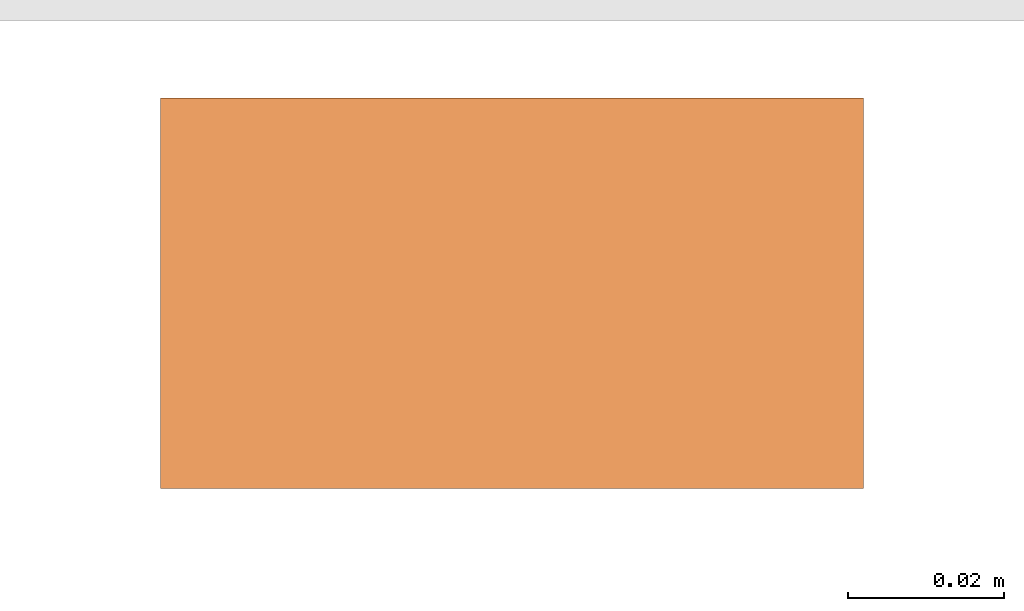
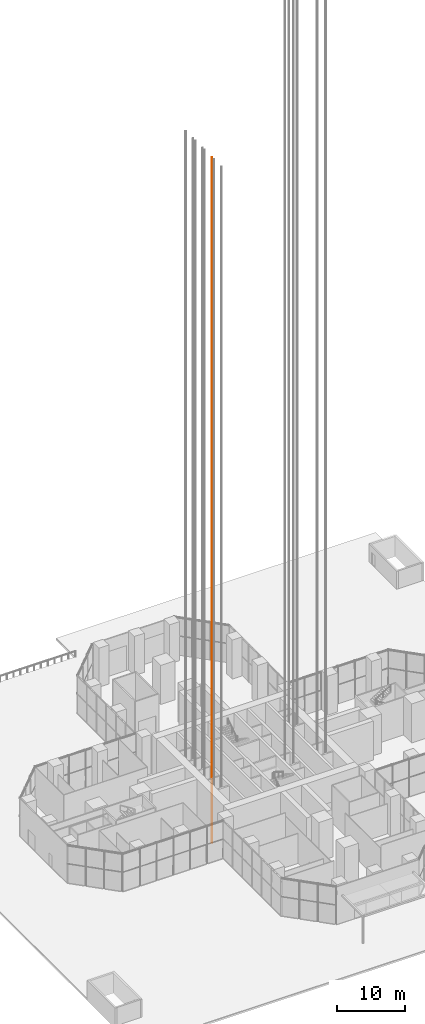
# One storey, part 32 of 43: 1 proxy.
"""IFC4 building model written with IfcOpenShell, lengths in metres."""

import ifcopenshell
import ifcopenshell.guid

model = None  # the IFC model being written
_history = None  # IfcOwnerHistory: only IFC2X3 demands one
_inside = {}  # id of a spatial element -> (the spatial element, [elements in it])
_under = {}  # id of a project, library or spatial element -> (it, [spatial elements below it])
_declared = {}  # id of a project -> (the project, [libraries it declares])
_typed = {}  # id of a type object -> (the type object, [elements of that type])
_made_of = {}  # id of a material, layer set ... -> (it, [elements and type objects made of it])


def new_model(schema):
    """Start an empty IFC model of exactly this schema.

    Asked for "IFC4X3", IfcOpenShell would pick the latest addendum, in which some entities
    have other attributes; the version numbers below select the first issue.
    IFC2X3 requires an IfcOwnerHistory on every rooted entity: one is made here for all.
    """
    global model, _history
    if schema == "IFC4X3":
        model = ifcopenshell.file(schema_version=(4, 3, 0, 0))
    else:
        model = ifcopenshell.file(schema=schema)
    _inside.clear()
    _under.clear()
    _declared.clear()
    _typed.clear()
    _made_of.clear()
    _history = None
    if model.schema == "IFC2X3":
        org = make("IfcOrganization", Name="unknown")
        user = make(
            "IfcPersonAndOrganization",
            ThePerson=make("IfcPerson", FamilyName="unknown"),
            TheOrganization=org,
        )
        app = make(
            "IfcApplication",
            ApplicationDeveloper=org,
            Version="unknown",
            ApplicationFullName="unknown",
            ApplicationIdentifier="unknown",
        )
        _history = make(
            "IfcOwnerHistory",
            OwningUser=user,
            OwningApplication=app,
            ChangeAction="ADDED",
            CreationDate=0,
        )
    return model


def make(cls, **values):
    """One entity of the class cls with the attributes given. An attribute that is None is left unset."""
    return model.create_entity(
        cls, **{name: value for name, value in values.items() if value is not None}
    )


def rooted(cls, **values):
    """An entity with a GlobalId (a new one), such as an element, a storey or a relation."""
    return make(cls, GlobalId=ifcopenshell.guid.new(), OwnerHistory=_history, **values)


def si_unit(unit_type, name, prefix=None):
    """IfcSIUnit, for example si_unit("LENGTHUNIT", "METRE", prefix="MILLI")."""
    return make("IfcSIUnit", UnitType=unit_type, Prefix=prefix, Name=name)


def assignment(units):
    """IfcUnitAssignment: the units of a project."""
    return None if units is None else make("IfcUnitAssignment", Units=units)


def point(xyz):
    """IfcCartesianPoint."""
    return None if xyz is None else make("IfcCartesianPoint", Coordinates=xyz)


def direction(xyz):
    """IfcDirection."""
    return None if xyz is None else make("IfcDirection", DirectionRatios=xyz)


def frame(location, z_axis=None, x_axis=None):
    """IfcAxis2Placement3D, a coordinate frame: its origin and axes. An axis left out is left unset."""
    return make(
        "IfcAxis2Placement3D",
        Location=point(location),
        Axis=direction(z_axis),
        RefDirection=direction(x_axis),
    )


def frame_2d(location, x_axis=None):
    """IfcAxis2Placement2D, a coordinate frame in the plane: its origin and x axis."""
    return make(
        "IfcAxis2Placement2D", Location=point(location), RefDirection=direction(x_axis)
    )


def origin():
    """The frame at (0, 0, 0) with its axes left unset."""
    return frame((0.0, 0.0, 0.0))


def origin_2d():
    """The frame at (0, 0) in the plane with its x axis left unset."""
    return frame_2d((0.0, 0.0))


def place(relative_to, where):
    """IfcLocalPlacement: puts the frame where relative to a parent placement (None: the world)."""
    return make(
        "IfcLocalPlacement", PlacementRelTo=relative_to, RelativePlacement=where
    )


def context(
    kind, dimensions, precision=None, world=None, true_north=None, identifier=None
):
    """IfcGeometricRepresentationContext, for example the 3D "Model" context."""
    return make(
        "IfcGeometricRepresentationContext",
        ContextIdentifier=identifier,
        ContextType=kind,
        CoordinateSpaceDimension=dimensions,
        Precision=precision,
        WorldCoordinateSystem=world,
        TrueNorth=true_north,
    )


def subcontext(parent, identifier, kind, view, scale=None):
    """IfcGeometricRepresentationSubContext, for example "Body" below "Model"."""
    return make(
        "IfcGeometricRepresentationSubContext",
        ContextIdentifier=identifier,
        ContextType=kind,
        ParentContext=parent,
        TargetScale=scale,
        TargetView=view,
    )


def project(units=None, contexts=None):
    """IfcProject with its units and contexts."""
    return rooted(
        "IfcProject",
        Name="project",
        RepresentationContexts=contexts,
        UnitsInContext=assignment(units),
    )


def spatial(cls, under=None, at=None, **own):
    """A site, building, storey or space (cls), placed at a placement, below another one or the project."""
    s = rooted(cls, ObjectPlacement=at, **own)
    if under is not None:
        _under.setdefault(under.id(), (under, []))[1].append(s)
    return s


def profile(cls, at=None, kind="AREA", **sizes):
    """A parametric profile (cls). Its sizes go by their IFC names, for example OverallWidth=200.0."""
    return make(cls, ProfileType=kind, Position=at, **sizes)


def rectangle(**sizes):
    """IfcRectangleProfileDef."""
    return profile("IfcRectangleProfileDef", **sizes)


def extrude(swept, where, along, depth):
    """IfcExtrudedAreaSolid: the profile swept, set in the frame where, extruded along a direction by depth."""
    return make(
        "IfcExtrudedAreaSolid",
        SweptArea=swept,
        Position=where,
        ExtrudedDirection=direction(along),
        Depth=depth,
    )


def shape(context_of_items, identifier, shape_type, items):
    """IfcShapeRepresentation: the items that make up one representation, for example the "Body"."""
    return make(
        "IfcShapeRepresentation",
        ContextOfItems=context_of_items,
        RepresentationIdentifier=identifier,
        RepresentationType=shape_type,
        Items=items,
    )


def material(Name=None, Category=None):
    """IfcMaterial."""
    return make("IfcMaterial", Name=Name, Category=Category)


def made_of(thing, what):
    """Note that an element or type object is made of a material, layer set ...; save() writes the relation."""
    if what is not None:
        _made_of.setdefault(what.id(), (what, []))[1].append(thing)
    return thing


def element(
    cls,
    number,
    at=None,
    inside=None,
    cuts=None,
    type_object=None,
    material=None,
    context=None,
    identifier="Body",
    shape_type=None,
    held_by="IfcProductDefinitionShape",
    body=None,
    shapes=None,
    **own,
):
    """One element of the class cls, such as IfcWall. Its Tag is "e" and its number.

    at: its placement. inside: the storey or other place that contains it. cuts: it is an
    opening in that element (IfcRelVoidsElement). A single representation is given by context,
    identifier, shape_type and body (its items); several are given by shapes. held_by: the class
    of the entity that holds the representations. save() writes the other relations.
    """
    e = rooted(cls, Tag="e%d" % number, ObjectPlacement=at, **own)
    if body is not None:
        shapes = [shape(context, identifier, shape_type, body)]
    if shapes is not None:
        e.Representation = make(held_by, Representations=shapes)
    if inside is not None:
        _inside.setdefault(inside.id(), (inside, []))[1].append(e)
    if cuts is not None:
        rooted(
            "IfcRelVoidsElement", RelatingBuildingElement=cuts, RelatedOpeningElement=e
        )
    if type_object is not None:
        _typed.setdefault(type_object.id(), (type_object, []))[1].append(e)
    return made_of(e, material)


def aggregate(whole, parts):
    """IfcRelAggregates: a whole, such as a stair, and the parts it consists of."""
    return rooted("IfcRelAggregates", RelatingObject=whole, RelatedObjects=parts)


def save(model, path):
    """Write the relations noted so far, then the file.

    IfcRelAggregates (storeys below a building ...), IfcRelContainedInSpatialStructure (elements
    in a storey), IfcRelDefinesByType, IfcRelAssociatesMaterial and IfcRelDeclares: one each for
    every whole, place, type object, material and project.
    """
    for whole, parts in _under.values():
        aggregate(whole, parts)
    for where, things in _inside.values():
        rooted(
            "IfcRelContainedInSpatialStructure",
            RelatedElements=things,
            RelatingStructure=where,
        )
    for kind, things in _typed.values():
        rooted("IfcRelDefinesByType", RelatedObjects=things, RelatingType=kind)
    for what, things in _made_of.values():
        rooted("IfcRelAssociatesMaterial", RelatedObjects=things, RelatingMaterial=what)
    for by, libraries in _declared.values():
        rooted("IfcRelDeclares", RelatingContext=by, RelatedDefinitions=libraries)
    model.write(path)


model = new_model("IFC4")

# Units and contexts
model_context = context("Model", 3, precision=1e-05, world=origin(), true_north=direction((0.0, 1.0)))
body_context = subcontext(model_context, "Body", "Model", "MODEL_VIEW")
ifc_project = project(units=[si_unit("LENGTHUNIT", "METRE"), si_unit("AREAUNIT", "SQUARE_METRE"), si_unit("VOLUMEUNIT", "CUBIC_METRE"), si_unit("PLANEANGLEUNIT", "RADIAN"), si_unit("MASSUNIT", "GRAM", prefix="KILO")], contexts=[model_context])

# Site, building, storey
site_placement = place(None, origin())
site = spatial("IfcSite", under=ifc_project, at=site_placement, CompositionType="ELEMENT")
building_placement = place(site_placement, origin())
building = spatial("IfcBuilding", under=site, at=building_placement, Name="Mizan Broadcast Tower", CompositionType="ELEMENT")
storey_placement = place(building_placement, origin())
storey = spatial("IfcBuildingStorey", under=building, at=storey_placement, Name="L00", CompositionType="ELEMENT", Elevation=0.0)

# Proxy
ifc_material = material(Name="Steel guide rail", Category="steel")
proxy_placement = place(storey_placement, frame((-8.800048828125, -2.4599609375, -5.0), z_axis=(0.0, 0.0, 1.0), x_axis=(1.0, 0.0, 0.0)))
element("IfcBuildingElementProxy", 1, at=proxy_placement, inside=storey, material=ifc_material, Name="Guide rail LA2-1", PredefinedType="NOTDEFINED", context=body_context, shape_type="SweptSolid", body=[
    extrude(rectangle(XDim=0.090087890625, YDim=0.050048828125, at=origin_2d()), origin(), (0.0, 0.0, 1.0), 122.969970703125),
])

save(model, "model.ifc")
